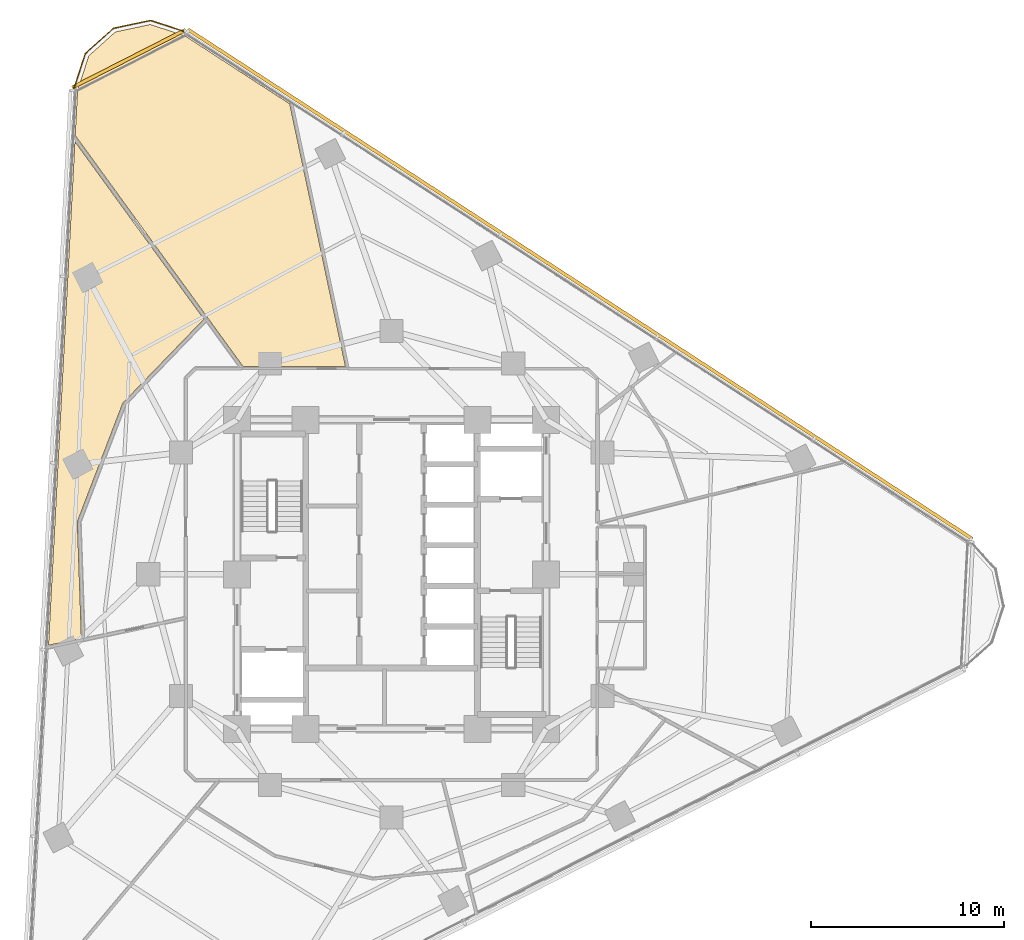
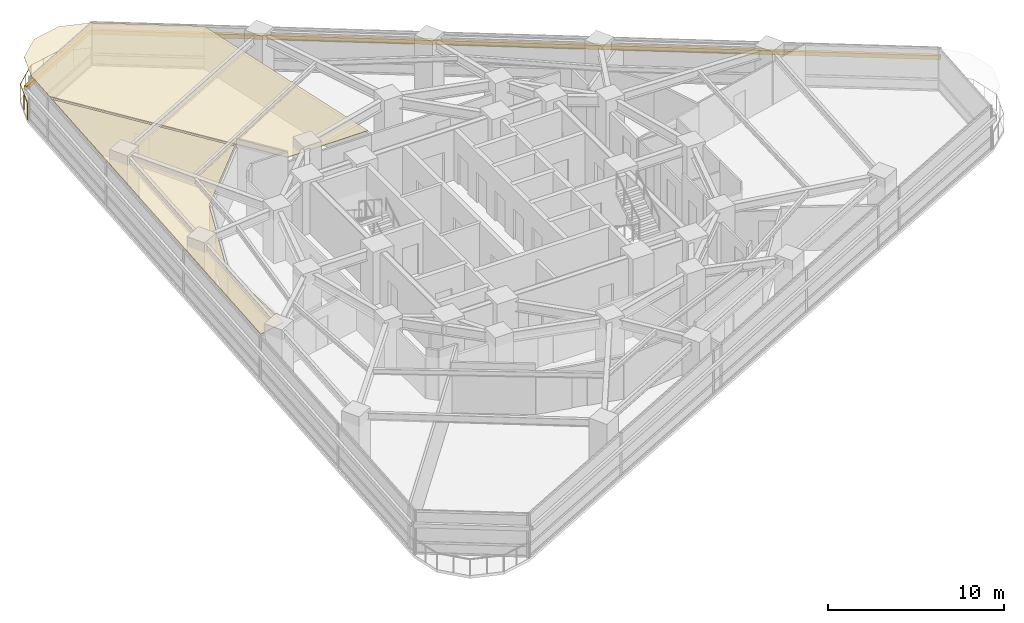
# One storey, part 14 of 14: 2 coverings, 2 shading devices, 1 railing.
"""IFC4 building model written with IfcOpenShell, lengths in metres."""

from ifc_helpers import new_model, si_unit, direction, frame, origin, origin_2d, place, context, subcontext, project, spatial, polyline, rectangle, circle, outline, extrude, material, layer, layer_set, type_object, element, save


model = new_model("IFC4")

# Units and contexts
model_context = context("Model", 3, precision=1e-05, world=origin(), true_north=direction((0.0, 1.0)))
body_context = subcontext(model_context, "Body", "Model", "MODEL_VIEW")
ifc_project = project(units=[si_unit("LENGTHUNIT", "METRE"), si_unit("AREAUNIT", "SQUARE_METRE"), si_unit("VOLUMEUNIT", "CUBIC_METRE"), si_unit("PLANEANGLEUNIT", "RADIAN"), si_unit("MASSUNIT", "GRAM", prefix="KILO")], contexts=[model_context])

# Site, building, storey
site_placement = place(None, origin())
site = spatial("IfcSite", under=ifc_project, at=site_placement, CompositionType="ELEMENT")
building_placement = place(site_placement, origin())
building = spatial("IfcBuilding", under=site, at=building_placement, Name="Terralouvre Media Tower", CompositionType="ELEMENT")
storey_placement = place(building_placement, frame((0.0, 0.0, 127.300048828125)))
storey = spatial("IfcBuildingStorey", under=building, at=storey_placement, Name="L32", CompositionType="ELEMENT", Elevation=127.300048828125)

# Coverings
ifc_material_1 = material(Name="Perforated aluminium acoustic ceiling baffle", Category="aluminium")
ifc_layer_1 = layer(ifc_material_1, 0.0400390625, Name="Perforated Acoustic Metal Tile Ceiling CL-AC1")
ifc_layer_set_1 = layer_set([ifc_layer_1], Name="Perforated aluminium acoustic ceiling baffle")
covering_type = type_object("IfcCoveringType", Name="Perforated Acoustic Metal Tile Ceiling CL-AC1", PredefinedType="CEILING", material=ifc_layer_set_1)
covering_1_placement = place(storey_placement, frame((0.0, 0.0, 2.97998046875), z_axis=(0.0, 0.0, 1.0), x_axis=(0.891006524188, 0.45399049974, 0.0)))
element("IfcCovering", 1, at=covering_1_placement, inside=storey, type_object=covering_type, Name="L32 Match-Day Catering Pantry 10 Acoustic Ceiling", PredefinedType="CEILING", context=body_context, shape_type="SweptSolid", body=[
    extrude(outline(polyline([(-2.4541015625, 16.13330078125), (-1.96875, 13.068115234375), (2.753173828125, 10.662109375), (6.35400390625, 24.0986328125), (3.11474609375, 29.708984375), (1.7861328125, 31.03759765625), (0.0, 31.515869140625), (-1.7861328125, 31.037353515625), (-3.11474609375, 29.708740234375), (-4.28369140625, 27.684326171875), (-2.4541015625, 16.13330078125)])), origin(), (0.0, 0.0, 1.0), 0.0400390625),
])
covering_2_placement = place(storey_placement, frame((0.0, 0.0, 2.97998046875), z_axis=(0.0, 0.0, 1.0), x_axis=(0.891006524188, 0.45399049974, 0.0)))
element("IfcCovering", 2, at=covering_2_placement, inside=storey, type_object=covering_type, Name="L32 League Statistics Library 11 Acoustic Ceiling", PredefinedType="CEILING", context=body_context, shape_type="SweptSolid", body=[
    extrude(outline(polyline([(-13.273681640625, 9.797607421875), (-13.26904296875, 9.806396484375), (-13.263427734375, 9.814697265625), (-13.257080078125, 9.822509765625), (-13.25, 9.82958984375), (-8.390869140625, 14.20556640625), (-8.383056640625, 14.211669921875), (-8.37451171875, 14.21728515625), (-8.36572265625, 14.221923828125), (-8.3564453125, 14.225830078125), (-2.664794921875, 16.18505859375), (-4.442626953125, 27.4091796875), (-17.499755859375, 4.79296875), (-15.81787109375, 4.341796875), (-13.273681640625, 9.797607421875)])), origin(), (0.0, 0.0, 1.0), 0.0400390625),
])

# Railing
ifc_material_2 = material(Name="Stainless steel 316 handrail and balustrade", Category="steel")
ifc_layer_2 = layer(ifc_material_2, 0.06005859375, Name="Roof Edge Safety Guardrail GR-ROOF1")
ifc_layer_set_2 = layer_set([ifc_layer_2], Name="Stainless steel 316 handrail and balustrade")
railing_type = type_object("IfcRailingType", Name="Roof Edge Safety Guardrail GR-ROOF1", PredefinedType="GUARDRAIL", material=ifc_layer_set_2)
railing_placement = place(storey_placement, frame((-10.611328125, 28.071044921875, 0.0)))
element("IfcRailing", 3, at=railing_placement, inside=storey, type_object=railing_type, Name="L32 Wind-Corner Perimeter Safety Guardrail C2", PredefinedType="GUARDRAIL", context=body_context, shape_type="SweptSolid", body=[
    extrude(circle(Radius=0.02099609375, at=origin_2d()), frame((0.0, 0.0, 1.12890625), z_axis=(-0.950979313277, 0.309254499918, 0.0), x_axis=(-0.309254499918, -0.950979313277, 0.0)), (0.0, 0.0, 1.0), 1.966552734375),
    extrude(circle(Radius=0.02099609375, at=origin_2d()), frame((-1.8701171875, 0.608154296875, 1.12890625), z_axis=(-0.9781553792, -0.207875092647, 0.0), x_axis=(0.207875092647, -0.9781553792, 0.0)), (0.0, 0.0, 1.0), 1.966064453125),
    extrude(circle(Radius=0.02099609375, at=origin_2d()), frame((-3.793212890625, 0.199462890625, 1.12890625), z_axis=(-0.743084172505, -0.66919796217, 0.0), x_axis=(0.66919796217, -0.743084172505, 0.0)), (0.0, 0.0, 1.0), 1.966064453125),
    extrude(circle(Radius=0.02099609375, at=origin_2d()), frame((-5.254150390625, -1.1162109375, 1.12890625), z_axis=(-0.308768829513, -0.951137114154, 0.0), x_axis=(0.951137114154, -0.308768829513, 0.0)), (0.0, 0.0, 1.0), 1.966552734375),
    extrude(circle(Radius=0.01904296875, at=origin_2d()), origin(), (0.0, 0.0, 1.0), 1.10791015625),
    extrude(circle(Radius=0.01904296875, at=origin_2d()), frame((-0.93505859375, 0.30419921875, 0.0)), (0.0, 0.0, 1.0), 1.10791015625),
    extrude(circle(Radius=0.01904296875, at=origin_2d()), frame((-1.8701171875, 0.608154296875, 0.0)), (0.0, 0.0, 1.0), 1.10791015625),
    extrude(circle(Radius=0.01904296875, at=origin_2d()), frame((-2.83154296875, 0.40380859375, 0.0)), (0.0, 0.0, 1.0), 1.10791015625),
    extrude(circle(Radius=0.01904296875, at=origin_2d()), frame((-3.793212890625, 0.199462890625, 0.0)), (0.0, 0.0, 1.0), 1.10791015625),
    extrude(circle(Radius=0.01904296875, at=origin_2d()), frame((-4.523681640625, -0.45849609375, 0.0)), (0.0, 0.0, 1.0), 1.10791015625),
    extrude(circle(Radius=0.01904296875, at=origin_2d()), frame((-5.254150390625, -1.1162109375, 0.0)), (0.0, 0.0, 1.0), 1.10791015625),
    extrude(circle(Radius=0.01904296875, at=origin_2d()), frame((-5.5576171875, -2.05126953125, 0.0)), (0.0, 0.0, 1.0), 1.10791015625),
    extrude(circle(Radius=0.01904296875, at=origin_2d()), frame((-5.861328125, -2.986572265625, 0.0)), (0.0, 0.0, 1.0), 1.10791015625),
])

# Shading devices
ifc_material_3 = material(Name="Extruded terracotta baguette sunshade louvres", Category="masonry")
shading_device_type = type_object("IfcShadingDeviceType", Name="Terracotta Baguette Sunshade Louvre Screen TB-LV1", PredefinedType="USERDEFINED", material=ifc_material_3)
shading_device_1_placement = place(storey_placement, frame((9.755615234375, 15.022216796875, 2.02392578125), z_axis=(0.0, 0.0, 1.0), x_axis=(-0.838670588944, 0.544639002681, 0.0)))
element("IfcShadingDevice", 4, at=shading_device_1_placement, inside=storey, type_object=shading_device_type, Name="CW-L32-F1 Terracotta Baguette Sunshade Louvre", ObjectType="BAGUETTE", PredefinedType="USERDEFINED", context=body_context, shape_type="SweptSolid", body=[
    extrude(rectangle(XDim=48.39990234375, YDim=0.179931640625, at=origin_2d()), origin(), (0.0, 0.0, 1.0), 0.280029296875),
])
shading_device_2_placement = place(storey_placement, frame((-13.603271484375, 26.697998046875, 2.02392578125), z_axis=(0.0, 0.0, 1.0), x_axis=(-0.891006600184, -0.45399035059, 0.0)))
element("IfcShadingDevice", 5, at=shading_device_2_placement, inside=storey, type_object=shading_device_type, Name="CW-L32-C2 Terracotta Baguette Sunshade Louvre", ObjectType="BAGUETTE", PredefinedType="USERDEFINED", context=body_context, shape_type="SweptSolid", body=[
    extrude(rectangle(XDim=6.581787109375, YDim=0.179931640625, at=origin_2d()), origin(), (0.0, 0.0, 1.0), 0.280029296875),
])

save(model, "model.ifc")
